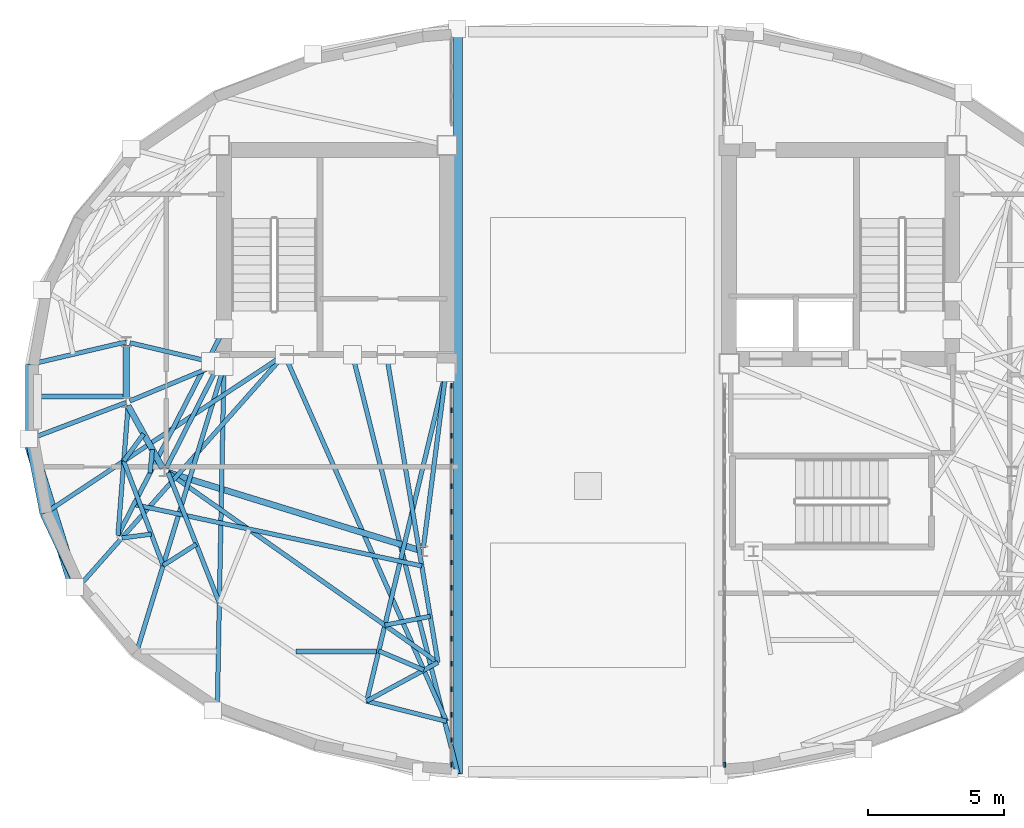
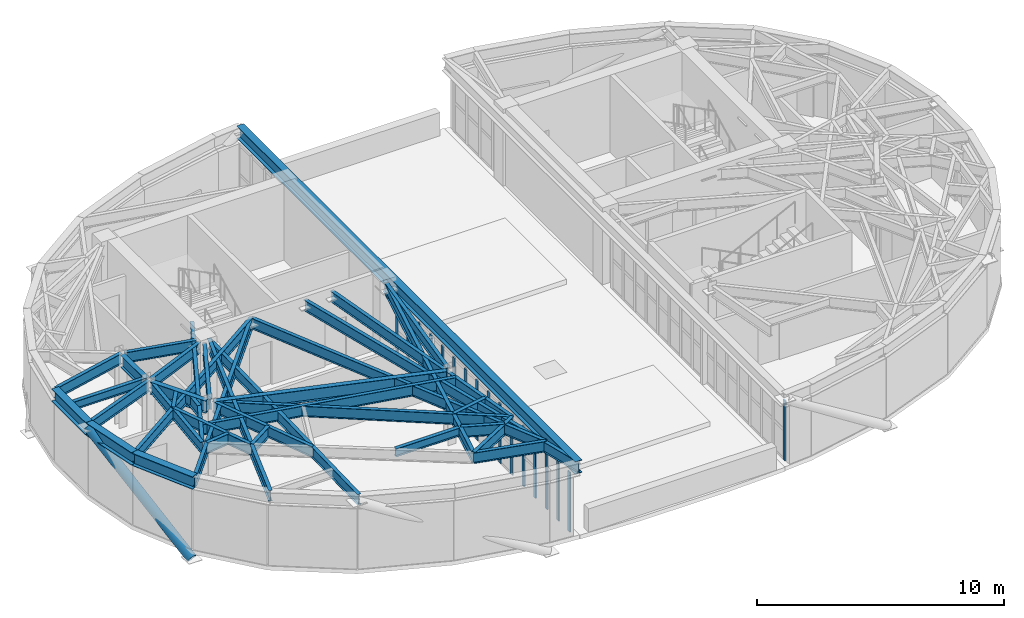
# One storey, part 2 of 13: 37 beams, 18 members, 2 elements without a shape of their own.
"""IFC4 building model written with IfcOpenShell, lengths in metres."""

from ifc_helpers import new_model, si_unit, direction, frame, origin, origin_2d, place, context, subcontext, project, spatial, rectangle, hollow_circle, i_section, extrude, material, layer, layer_set, material_profile, profile_set, type_object, element, aggregate, save


model = new_model("IFC4")

# Units and contexts
model_context = context("Model", 3, precision=1e-05, world=origin(), true_north=direction((0.0, 1.0)))
body_context = subcontext(model_context, "Body", "Model", "MODEL_VIEW")
ifc_project = project(units=[si_unit("LENGTHUNIT", "METRE"), si_unit("AREAUNIT", "SQUARE_METRE"), si_unit("VOLUMEUNIT", "CUBIC_METRE"), si_unit("PLANEANGLEUNIT", "RADIAN"), si_unit("MASSUNIT", "GRAM", prefix="KILO")], contexts=[model_context])

# Site, building, storey
site_placement = place(None, origin())
site = spatial("IfcSite", under=ifc_project, at=site_placement, CompositionType="ELEMENT")
building_placement = place(site_placement, origin())
building = spatial("IfcBuilding", under=site, at=building_placement, Name="Keldmark Tower", CompositionType="ELEMENT")
storey_placement = place(building_placement, frame((0.0, 0.0, 269.199951171875)))
storey = spatial("IfcBuildingStorey", under=building, at=storey_placement, Name="L76", CompositionType="ELEMENT", Elevation=269.199951171875)

# Beams
ifc_material_1 = material(Name="Steel ASTM A992 Grade 50", Category="steel")
ifc_material_profile_1 = material_profile(ifc_material_1, i_section(OverallWidth=0.177978515625, OverallDepth=0.403076171875, WebThickness=0.007568359375, FlangeThickness=0.010986328125, at=origin_2d()), Name="W16X36")
ifc_profile_set_1 = profile_set([ifc_material_profile_1], Name="Steel ASTM A992 Grade 50")
beam_type_1 = type_object("IfcBeamType", Name="Composite Floor Joist W16X36", PredefinedType="JOIST", material=ifc_profile_set_1)
beam_1_placement = place(storey_placement, frame((-10.774658203125, -9.199951171875, 3.3984375), z_axis=(1.0, 0.0, 0.0), x_axis=(0.0, 1.0, 0.0)))
element("IfcBeam", 1, at=beam_1_placement, inside=storey, type_object=beam_type_1, Name="L76 Composite Floor Joist J05", PredefinedType="JOIST", context=body_context, shape_type="SweptSolid", body=[
    extrude(i_section(OverallWidth=0.177978515625, OverallDepth=0.403076171875, WebThickness=0.007568359375, FlangeThickness=0.010986328125, at=origin_2d()), origin(), (0.0, 0.0, 1.0), 2.974853515625),
])
beam_2_placement = place(storey_placement, frame((-20.43115234375, 0.199951171875, 3.3984375), z_axis=(1.0, 0.0, 0.0), x_axis=(0.0, 1.0, 0.0)))
element("IfcBeam", 2, at=beam_2_placement, inside=storey, type_object=beam_type_1, Name="L76 Composite Floor Joist J06", PredefinedType="JOIST", context=body_context, shape_type="SweptSolid", body=[
    extrude(i_section(OverallWidth=0.177978515625, OverallDepth=0.403076171875, WebThickness=0.007568359375, FlangeThickness=0.010986328125, at=origin_2d()), origin(), (0.0, 0.0, 1.0), 3.300537109375),
])

# Member
ifc_material_2 = material(Name="Steel ASTM A572 Grade 50", Category="steel")
ifc_material_profile_2 = material_profile(ifc_material_2, hollow_circle(Radius=0.22509765625, WallThickness=0.02197265625, at=origin_2d()), Name="CHS450X22")
ifc_profile_set_2 = profile_set([ifc_material_profile_2], Name="Steel ASTM A572 Grade 50")
member_type_1 = type_object("IfcMemberType", Name="Crown Frame Brace CHS450X22", PredefinedType="USERDEFINED", material=ifc_profile_set_2)
member_1_placement = place(storey_placement, frame((-18.927490234375, -6.82763671875, -0.449951171875), z_axis=(-0.247086594511, 0.79522326811, 0.553685983812), x_axis=(-0.954964422566, -0.296720325616, 0.0)))
element("IfcMember", 3, at=member_1_placement, inside=storey, type_object=member_type_1, Name="L76 Crown Frame Diagonal W04", ObjectType="CROWN FRAME", PredefinedType="USERDEFINED", context=body_context, shape_type="SweptSolid", body=[
    extrude(hollow_circle(Radius=0.22509765625, WallThickness=0.02197265625, at=origin_2d()), origin(), (0.0, 0.0, 1.0), 6.86328125),
])

# Curtain wall, member
ifc_material_3 = material(Name="Unitized Thermally Broken Aluminum and Triple Low-E Glazing", Category="aluminium")
ifc_layer = layer(ifc_material_3, 0.219970703125)
ifc_layer_set = layer_set([ifc_layer], Name="Unitized Thermally Broken Aluminum and Triple Low-E Glazing")
curtain_wall_type = type_object("IfcCurtainWallType", Name="Split-Top Crown Lantern Curtain Wall System", PredefinedType="NOTDEFINED", material=ifc_layer_set)
curtain_wall_1_placement = place(storey_placement, origin())
curtain_wall_1 = element("IfcCurtainWall", 4, at=curtain_wall_1_placement, inside=storey, type_object=curtain_wall_type, Name="L76 Split-Top Crown Lantern Curtain Wall System CW-L76-ES14-1", PredefinedType="NOTDEFINED")
ifc_material_4 = material(Name="Extruded Aluminum Alloy 6063-T6", Category="aluminium")
ifc_material_profile_3 = material_profile(ifc_material_4, rectangle(XDim=0.06005859375, YDim=0.179931640625, at=origin_2d()), Name="CWM60X180")
ifc_profile_set_3 = profile_set([ifc_material_profile_3], Name="Extruded Aluminum Alloy 6063-T6")
member_type_2 = type_object("IfcMemberType", Name="Curtain Wall Structural Mullion 60x180", PredefinedType="MULLION", material=ifc_profile_set_3)
member_2_placement = place(storey_placement, frame((5.0400390625, -13.37451171875, 0.0), z_axis=(0.0, 0.0, 1.0), x_axis=(1.0, 0.0, 0.0)))
member_2 = element("IfcMember", 5, at=member_2_placement, type_object=member_type_2, Name="CW mullion 16", PredefinedType="MULLION", context=body_context, shape_type="SweptSolid", body=[
    extrude(rectangle(XDim=0.06005859375, YDim=0.179931640625, at=origin_2d()), origin(), (0.0, 0.0, 1.0), 2.966064453125),
])
aggregate(curtain_wall_1, [member_2])

# Curtain wall, members
curtain_wall_2_placement = place(storey_placement, origin())
curtain_wall_2 = element("IfcCurtainWall", 6, at=curtain_wall_2_placement, inside=storey, type_object=curtain_wall_type, Name="L76 Split-Top Crown Lantern Curtain Wall System CW-L76-WS14-0", PredefinedType="NOTDEFINED")
member_3_placement = place(storey_placement, frame((-5.0400390625, -13.37451171875, 0.0), z_axis=(0.0, 0.0, 1.0), x_axis=(-1.0, 0.0, 0.0)))
member_3 = element("IfcMember", 7, at=member_3_placement, type_object=member_type_2, Name="CW mullion 1", PredefinedType="MULLION", context=body_context, shape_type="SweptSolid", body=[
    extrude(rectangle(XDim=0.06005859375, YDim=0.179931640625, at=origin_2d()), origin(), (0.0, 0.0, 1.0), 2.966064453125),
])
member_4_placement = place(storey_placement, frame((-5.0400390625, -12.469482421875, 0.0), z_axis=(0.0, 0.0, 1.0), x_axis=(-1.0, 0.0, 0.0)))
member_4 = element("IfcMember", 8, at=member_4_placement, type_object=member_type_2, Name="CW mullion 2", PredefinedType="MULLION", context=body_context, shape_type="SweptSolid", body=[
    extrude(rectangle(XDim=0.06005859375, YDim=0.179931640625, at=origin_2d()), origin(), (0.0, 0.0, 1.0), 2.966064453125),
])
member_5_placement = place(storey_placement, frame((-5.0400390625, -11.534423828125, 0.0), z_axis=(0.0, 0.0, 1.0), x_axis=(-1.0, 0.0, 0.0)))
member_5 = element("IfcMember", 9, at=member_5_placement, type_object=member_type_2, Name="CW mullion 3", PredefinedType="MULLION", context=body_context, shape_type="SweptSolid", body=[
    extrude(rectangle(XDim=0.06005859375, YDim=0.179931640625, at=origin_2d()), origin(), (0.0, 0.0, 1.0), 2.966064453125),
])
member_6_placement = place(storey_placement, frame((-5.0400390625, -10.599365234375, 0.0), z_axis=(0.0, 0.0, 1.0), x_axis=(-1.0, 0.0, 0.0)))
member_6 = element("IfcMember", 10, at=member_6_placement, type_object=member_type_2, Name="CW mullion 4", PredefinedType="MULLION", context=body_context, shape_type="SweptSolid", body=[
    extrude(rectangle(XDim=0.06005859375, YDim=0.179931640625, at=origin_2d()), origin(), (0.0, 0.0, 1.0), 2.966064453125),
])
member_7_placement = place(storey_placement, frame((-5.0400390625, -9.664306640625, 0.0), z_axis=(0.0, 0.0, 1.0), x_axis=(-1.0, 0.0, 0.0)))
member_7 = element("IfcMember", 11, at=member_7_placement, type_object=member_type_2, Name="CW mullion 5", PredefinedType="MULLION", context=body_context, shape_type="SweptSolid", body=[
    extrude(rectangle(XDim=0.06005859375, YDim=0.179931640625, at=origin_2d()), origin(), (0.0, 0.0, 1.0), 2.966064453125),
])
member_8_placement = place(storey_placement, frame((-5.0400390625, -8.729248046875, 0.0), z_axis=(0.0, 0.0, 1.0), x_axis=(-1.0, 0.0, 0.0)))
member_8 = element("IfcMember", 12, at=member_8_placement, type_object=member_type_2, Name="CW mullion 6", PredefinedType="MULLION", context=body_context, shape_type="SweptSolid", body=[
    extrude(rectangle(XDim=0.06005859375, YDim=0.179931640625, at=origin_2d()), origin(), (0.0, 0.0, 1.0), 2.966064453125),
])
member_9_placement = place(storey_placement, frame((-5.0400390625, -7.794189453125, 0.0), z_axis=(0.0, 0.0, 1.0), x_axis=(-1.0, 0.0, 0.0)))
member_9 = element("IfcMember", 13, at=member_9_placement, type_object=member_type_2, Name="CW mullion 7", PredefinedType="MULLION", context=body_context, shape_type="SweptSolid", body=[
    extrude(rectangle(XDim=0.06005859375, YDim=0.179931640625, at=origin_2d()), origin(), (0.0, 0.0, 1.0), 2.966064453125),
])
member_10_placement = place(storey_placement, frame((-5.0400390625, -6.859130859375, 0.0), z_axis=(0.0, 0.0, 1.0), x_axis=(-1.0, 0.0, 0.0)))
member_10 = element("IfcMember", 14, at=member_10_placement, type_object=member_type_2, Name="CW mullion 8", PredefinedType="MULLION", context=body_context, shape_type="SweptSolid", body=[
    extrude(rectangle(XDim=0.06005859375, YDim=0.179931640625, at=origin_2d()), origin(), (0.0, 0.0, 1.0), 2.966064453125),
])
member_11_placement = place(storey_placement, frame((-5.0400390625, -5.924072265625, 0.0), z_axis=(0.0, 0.0, 1.0), x_axis=(-1.0, 0.0, 0.0)))
member_11 = element("IfcMember", 15, at=member_11_placement, type_object=member_type_2, Name="CW mullion 9", PredefinedType="MULLION", context=body_context, shape_type="SweptSolid", body=[
    extrude(rectangle(XDim=0.06005859375, YDim=0.179931640625, at=origin_2d()), origin(), (0.0, 0.0, 1.0), 2.966064453125),
])
member_12_placement = place(storey_placement, frame((-5.0400390625, -4.989013671875, 0.0), z_axis=(0.0, 0.0, 1.0), x_axis=(-1.0, 0.0, 0.0)))
member_12 = element("IfcMember", 16, at=member_12_placement, type_object=member_type_2, Name="CW mullion 10", PredefinedType="MULLION", context=body_context, shape_type="SweptSolid", body=[
    extrude(rectangle(XDim=0.06005859375, YDim=0.179931640625, at=origin_2d()), origin(), (0.0, 0.0, 1.0), 2.966064453125),
])
member_13_placement = place(storey_placement, frame((-5.0400390625, -4.053955078125, 0.0), z_axis=(0.0, 0.0, 1.0), x_axis=(-1.0, 0.0, 0.0)))
member_13 = element("IfcMember", 17, at=member_13_placement, type_object=member_type_2, Name="CW mullion 11", PredefinedType="MULLION", context=body_context, shape_type="SweptSolid", body=[
    extrude(rectangle(XDim=0.06005859375, YDim=0.179931640625, at=origin_2d()), origin(), (0.0, 0.0, 1.0), 2.966064453125),
])
member_14_placement = place(storey_placement, frame((-5.0400390625, -3.118896484375, 0.0), z_axis=(0.0, 0.0, 1.0), x_axis=(-1.0, 0.0, 0.0)))
member_14 = element("IfcMember", 18, at=member_14_placement, type_object=member_type_2, Name="CW mullion 12", PredefinedType="MULLION", context=body_context, shape_type="SweptSolid", body=[
    extrude(rectangle(XDim=0.06005859375, YDim=0.179931640625, at=origin_2d()), origin(), (0.0, 0.0, 1.0), 2.966064453125),
])
member_15_placement = place(storey_placement, frame((-5.0400390625, -2.183837890625, 0.0), z_axis=(0.0, 0.0, 1.0), x_axis=(-1.0, 0.0, 0.0)))
member_15 = element("IfcMember", 19, at=member_15_placement, type_object=member_type_2, Name="CW mullion 13", PredefinedType="MULLION", context=body_context, shape_type="SweptSolid", body=[
    extrude(rectangle(XDim=0.06005859375, YDim=0.179931640625, at=origin_2d()), origin(), (0.0, 0.0, 1.0), 2.966064453125),
])
member_16_placement = place(storey_placement, frame((-5.0400390625, -1.24853515625, 0.0), z_axis=(0.0, 0.0, 1.0), x_axis=(-1.0, 0.0, 0.0)))
member_16 = element("IfcMember", 20, at=member_16_placement, type_object=member_type_2, Name="CW mullion 14", PredefinedType="MULLION", context=body_context, shape_type="SweptSolid", body=[
    extrude(rectangle(XDim=0.06005859375, YDim=0.179931640625, at=origin_2d()), origin(), (0.0, 0.0, 1.0), 2.966064453125),
])
member_17_placement = place(storey_placement, frame((-5.0400390625, -0.3134765625, 0.0), z_axis=(0.0, 0.0, 1.0), x_axis=(-1.0, 0.0, 0.0)))
member_17 = element("IfcMember", 21, at=member_17_placement, type_object=member_type_2, Name="CW mullion 15", PredefinedType="MULLION", context=body_context, shape_type="SweptSolid", body=[
    extrude(rectangle(XDim=0.06005859375, YDim=0.179931640625, at=origin_2d()), origin(), (0.0, 0.0, 1.0), 2.966064453125),
])
member_18_placement = place(storey_placement, frame((-5.0400390625, 0.591552734375, 0.0), z_axis=(0.0, 0.0, 1.0), x_axis=(-1.0, 0.0, 0.0)))
member_18 = element("IfcMember", 22, at=member_18_placement, type_object=member_type_2, Name="CW mullion 16", PredefinedType="MULLION", context=body_context, shape_type="SweptSolid", body=[
    extrude(rectangle(XDim=0.06005859375, YDim=0.179931640625, at=origin_2d()), origin(), (0.0, 0.0, 1.0), 2.966064453125),
])
aggregate(curtain_wall_2, [member_3, member_4, member_5, member_6, member_7, member_8, member_9, member_10, member_11, member_12, member_13, member_14, member_15, member_16, member_17, member_18])

# Beams
ifc_material_5 = material(Name="Steel ASTM A992 Grade 50", Category="steel")
ifc_material_profile_4 = material_profile(ifc_material_5, i_section(OverallWidth=0.22802734375, OverallDepth=0.60302734375, WebThickness=0.010498046875, FlangeThickness=0.014892578125, at=origin_2d()), Name="W24X68")
ifc_profile_set_4 = profile_set([ifc_material_profile_4], Name="Steel ASTM A992 Grade 50")
beam_type_2 = type_object("IfcBeamType", Name="Primary Floor Girder W24X68", PredefinedType="BEAM", material=ifc_profile_set_4)
beam_3_placement = place(storey_placement, frame((-17.025634765625, 2.068115234375, 3.298583984375), z_axis=(0.0, -1.0, 0.0), x_axis=(1.0, 0.0, 0.0)))
element("IfcBeam", 23, at=beam_3_placement, inside=storey, type_object=beam_type_2, Name="L76 Floor Ring Girder FG-R02", PredefinedType="BEAM", context=body_context, shape_type="SweptSolid", body=[
    extrude(i_section(OverallWidth=0.22802734375, OverallDepth=0.60302734375, WebThickness=0.010498046875, FlangeThickness=0.014892578125, at=origin_2d()), origin(), (0.0, 0.0, 1.0), 1.9521484375),
])
beam_4_placement = place(storey_placement, frame((-16.957763671875, -0.146484375, 3.298583984375), z_axis=(0.484719680408, -0.874669555561, 0.0), x_axis=(0.874669555561, 0.484719680408, 0.0)))
element("IfcBeam", 24, at=beam_4_placement, inside=storey, type_object=beam_type_2, Name="L76 Floor Ring Girder FG-R03", PredefinedType="BEAM", context=body_context, shape_type="SweptSolid", body=[
    extrude(i_section(OverallWidth=0.22802734375, OverallDepth=0.60302734375, WebThickness=0.010498046875, FlangeThickness=0.014892578125, at=origin_2d()), origin(), (0.0, 0.0, 1.0), 2.627685546875),
])
beam_5_placement = place(storey_placement, frame((-15.482421875, -2.60888671875, 3.298583984375), z_axis=(0.955383255089, -0.295368982622, 0.0), x_axis=(0.295368982622, 0.955383255089, 0.0)))
element("IfcBeam", 25, at=beam_5_placement, inside=storey, type_object=beam_type_2, Name="L76 Floor Ring Girder FG-R04", PredefinedType="BEAM", context=body_context, shape_type="SweptSolid", body=[
    extrude(i_section(OverallWidth=0.22802734375, OverallDepth=0.60302734375, WebThickness=0.010498046875, FlangeThickness=0.014892578125, at=origin_2d()), origin(), (0.0, 0.0, 1.0), 9.69140625),
])
ifc_material_6 = material(Name="Steel ASTM A992 Grade 50", Category="steel")
ifc_material_profile_5 = material_profile(ifc_material_6, i_section(OverallWidth=0.166015625, OverallDepth=0.529052734375, WebThickness=0.009765625, FlangeThickness=0.013671875, at=origin_2d()), Name="W21X50")
ifc_profile_set_5 = profile_set([ifc_material_profile_5], Name="Steel ASTM A992 Grade 50")
beam_type_3 = type_object("IfcBeamType", Name="Radial Tie Girder W21X50", PredefinedType="BEAM", material=ifc_profile_set_5)
beam_6_placement = place(storey_placement, frame((-16.889404296875, 2.17578125, 3.33544921875), z_axis=(0.97329039005, -0.229577474147, 0.0), x_axis=(0.229577474147, 0.97329039005, 0.0)))
element("IfcBeam", 26, at=beam_6_placement, inside=storey, type_object=beam_type_3, Name="L76 Floor Radial Girder FG-C06", PredefinedType="BEAM", context=body_context, shape_type="SweptSolid", body=[
    extrude(i_section(OverallWidth=0.166015625, OverallDepth=0.529052734375, WebThickness=0.009765625, FlangeThickness=0.013671875, at=origin_2d()), origin(), (0.0, 0.0, 1.0), 3.0595703125),
])
beam_7_placement = place(storey_placement, frame((-16.896240234375, 0.02978515625, 3.33544921875), z_axis=(0.923403331902, 0.383831065226, 0.0), x_axis=(-0.383831065226, 0.923403331902, 0.0)))
element("IfcBeam", 27, at=beam_7_placement, inside=storey, type_object=beam_type_3, Name="L76 Floor Radial Girder FG-C07", PredefinedType="BEAM", context=body_context, shape_type="SweptSolid", body=[
    extrude(i_section(OverallWidth=0.166015625, OverallDepth=0.529052734375, WebThickness=0.009765625, FlangeThickness=0.013671875, at=origin_2d()), origin(), (0.0, 0.0, 1.0), 3.249755859375),
])
beam_8_placement = place(storey_placement, frame((-15.552734375, -2.442626953125, 3.33544921875), z_axis=(0.453004410574, 0.89150827478, 0.0), x_axis=(-0.89150827478, 0.453004410574, 0.0)))
element("IfcBeam", 28, at=beam_8_placement, inside=storey, type_object=beam_type_3, Name="L76 Floor Radial Girder FG-C08", PredefinedType="BEAM", context=body_context, shape_type="SweptSolid", body=[
    extrude(i_section(OverallWidth=0.166015625, OverallDepth=0.529052734375, WebThickness=0.009765625, FlangeThickness=0.013671875, at=origin_2d()), origin(), (0.0, 0.0, 1.0), 3.990234375),
])
beam_9_placement = place(storey_placement, frame((-6.071533203125, -5.3740234375, 3.33544921875), z_axis=(0.127625044513, 0.991822488157, 0.0), x_axis=(-0.991822488157, 0.127625044513, 0.0)))
element("IfcBeam", 29, at=beam_9_placement, inside=storey, type_object=beam_type_3, Name="L76 Floor Radial Girder FG-C09", PredefinedType="BEAM", context=body_context, shape_type="SweptSolid", body=[
    extrude(i_section(OverallWidth=0.166015625, OverallDepth=0.529052734375, WebThickness=0.009765625, FlangeThickness=0.013671875, at=origin_2d()), origin(), (0.0, 0.0, 1.0), 6.509765625),
])
beam_10_placement = place(storey_placement, frame((-16.066162109375, -1.75537109375, 3.33544921875), z_axis=(-0.095914291644, -0.995389596419, 0.0), x_axis=(0.995389596419, -0.095914291644, 0.0)))
element("IfcBeam", 30, at=beam_10_placement, inside=storey, type_object=beam_type_3, Name="L76 Framing Pin Header PH-014", PredefinedType="BEAM", context=body_context, shape_type="SweptSolid", body=[
    extrude(i_section(OverallWidth=0.166015625, OverallDepth=0.529052734375, WebThickness=0.009765625, FlangeThickness=0.013671875, at=origin_2d()), origin(), (0.0, 0.0, 1.0), 0.875732421875),
])
beam_11_placement = place(storey_placement, frame((-13.425048828125, 2.675048828125, 3.33544921875), z_axis=(-0.45712850913, -0.889400655577, 0.0), x_axis=(0.889400655577, -0.45712850913, 0.0)))
element("IfcBeam", 31, at=beam_11_placement, inside=storey, type_object=beam_type_3, Name="L76 Intermediate Radial Step Girder CRT-W05M", PredefinedType="BEAM", context=body_context, shape_type="SweptSolid", body=[
    extrude(i_section(OverallWidth=0.166015625, OverallDepth=0.529052734375, WebThickness=0.009765625, FlangeThickness=0.013671875, at=origin_2d()), origin(), (0.0, 0.0, 1.0), 8.545166015625),
])
beam_12_placement = place(storey_placement, frame((-16.957763671875, -0.146484375, 3.33544921875), z_axis=(-0.077931174289, -0.99695874141, 0.0), x_axis=(0.99695874141, -0.077931174289, 0.0)))
element("IfcBeam", 32, at=beam_12_placement, inside=storey, type_object=beam_type_3, Name="L76 Local Collector Chord CRT-W05C", PredefinedType="BEAM", context=body_context, shape_type="SweptSolid", body=[
    extrude(i_section(OverallWidth=0.166015625, OverallDepth=0.529052734375, WebThickness=0.009765625, FlangeThickness=0.013671875, at=origin_2d()), origin(), (0.0, 0.0, 1.0), 4.793212890625),
])
beam_13_placement = place(storey_placement, frame((-16.384521484375, -1.180908203125, 3.33544921875), z_axis=(-0.58960765823, -0.807689797729, 0.0), x_axis=(0.807689797729, -0.58960765823, 0.0)))
element("IfcBeam", 33, at=beam_13_placement, inside=storey, type_object=beam_type_3, Name="L76 Framing Pin Header PH-015", PredefinedType="BEAM", context=body_context, shape_type="SweptSolid", body=[
    extrude(i_section(OverallWidth=0.166015625, OverallDepth=0.529052734375, WebThickness=0.009765625, FlangeThickness=0.013671875, at=origin_2d()), origin(), (0.0, 0.0, 1.0), 1.24267578125),
])
beam_14_placement = place(storey_placement, frame((-11.19287109375, 1.739990234375, 3.33544921875), z_axis=(-0.83365951816, -0.552278741018, 0.0), x_axis=(0.552278741018, -0.83365951816, 0.0)))
element("IfcBeam", 34, at=beam_14_placement, inside=storey, type_object=beam_type_3, Name="L76 Perimeter Radial Tie Girder CRT-W06", PredefinedType="BEAM", context=body_context, shape_type="SweptSolid", body=[
    extrude(i_section(OverallWidth=0.166015625, OverallDepth=0.529052734375, WebThickness=0.009765625, FlangeThickness=0.013671875, at=origin_2d()), origin(), (0.0, 0.0, 1.0), 10.6201171875),
])
beam_15_placement = place(storey_placement, frame((-17.025634765625, -0.02392578125, 3.33544921875), z_axis=(-0.934893385986, -0.354928664437, 0.0), x_axis=(0.354928664437, -0.934893385986, 0.0)))
element("IfcBeam", 35, at=beam_15_placement, inside=storey, type_object=beam_type_3, Name="L76 Perimeter Column Bracket CRT-W07", PredefinedType="BEAM", context=body_context, shape_type="SweptSolid", body=[
    extrude(i_section(OverallWidth=0.166015625, OverallDepth=0.529052734375, WebThickness=0.009765625, FlangeThickness=0.013671875, at=origin_2d()), origin(), (0.0, 0.0, 1.0), 3.80810546875),
])
beam_16_placement = place(storey_placement, frame((-17.025634765625, 2.2080078125, 3.33544921875), z_axis=(-0.973729775852, -0.22770666134, 0.0), x_axis=(0.22770666134, -0.973729775852, 0.0)))
element("IfcBeam", 36, at=beam_16_placement, inside=storey, type_object=beam_type_3, Name="L76 Perimeter Column Bracket CRT-W08", PredefinedType="BEAM", context=body_context, shape_type="SweptSolid", body=[
    extrude(i_section(OverallWidth=0.166015625, OverallDepth=0.529052734375, WebThickness=0.009765625, FlangeThickness=0.013671875, at=origin_2d()), origin(), (0.0, 0.0, 1.0), 3.656005859375),
])
beam_17_placement = place(storey_placement, frame((-16.745361328125, -3.78515625, 3.33544921875), z_axis=(0.97794930655, -0.208842413839, 0.0), x_axis=(0.208842413839, 0.97794930655, 0.0)))
element("IfcBeam", 37, at=beam_17_placement, inside=storey, type_object=beam_type_3, Name="L76 Framing Pin Header PH-018", PredefinedType="BEAM", context=body_context, shape_type="SweptSolid", body=[
    extrude(i_section(OverallWidth=0.166015625, OverallDepth=0.529052734375, WebThickness=0.009765625, FlangeThickness=0.013671875, at=origin_2d()), origin(), (0.0, 0.0, 1.0), 10.854248046875),
])
beam_18_placement = place(storey_placement, frame((-7.43212890625, 1.739990234375, 3.33544921875), z_axis=(0.164794545663, -0.986327915918, 0.0), x_axis=(0.986327915918, 0.164794545663, 0.0)))
element("IfcBeam", 38, at=beam_18_placement, inside=storey, type_object=beam_type_3, Name="L76 Crown Step Radial Girder CRT-W01RN1", PredefinedType="BEAM", context=body_context, shape_type="SweptSolid", body=[
    extrude(i_section(OverallWidth=0.166015625, OverallDepth=0.529052734375, WebThickness=0.009765625, FlangeThickness=0.013671875, at=origin_2d()), origin(), (0.0, 0.0, 1.0), 11.509765625),
])
beam_19_placement = place(storey_placement, frame((-5.535400390625, -9.6123046875, 3.33544921875), z_axis=(-0.817664715878, 0.575694721539, 0.0), x_axis=(-0.575694721539, -0.817664715878, 0.0)))
element("IfcBeam", 39, at=beam_19_placement, inside=storey, type_object=beam_type_3, Name="L76 Crown Step Collector Chord CRT-W01RP1", PredefinedType="BEAM", context=body_context, shape_type="SweptSolid", body=[
    extrude(i_section(OverallWidth=0.166015625, OverallDepth=0.529052734375, WebThickness=0.009765625, FlangeThickness=0.013671875, at=origin_2d()), origin(), (0.0, 0.0, 1.0), 12.1650390625),
])
beam_20_placement = place(storey_placement, frame((-5.820068359375, -7.909423828125, 3.33544921875), z_axis=(-0.981474809859, -0.191591225303, 0.0), x_axis=(0.191591225303, -0.981474809859, 0.0)))
element("IfcBeam", 40, at=beam_20_placement, inside=storey, type_object=beam_type_3, Name="L76 Framing Pin Header PH-019", PredefinedType="BEAM", context=body_context, shape_type="SweptSolid", body=[
    extrude(i_section(OverallWidth=0.166015625, OverallDepth=0.529052734375, WebThickness=0.009765625, FlangeThickness=0.013671875, at=origin_2d()), origin(), (0.0, 0.0, 1.0), 1.702392578125),
])
beam_21_placement = place(storey_placement, frame((-5.199951171875, 1.300048828125, 3.33544921875), z_axis=(-0.233598627171, -0.972333112356, 0.0), x_axis=(0.972333112356, -0.233598627171, 0.0)))
element("IfcBeam", 41, at=beam_21_placement, inside=storey, type_object=beam_type_3, Name="L76 Crown Step Radial Girder CRT-W02RN1", PredefinedType="BEAM", context=body_context, shape_type="SweptSolid", body=[
    extrude(i_section(OverallWidth=0.166015625, OverallDepth=0.529052734375, WebThickness=0.009765625, FlangeThickness=0.013671875, at=origin_2d()), origin(), (0.0, 0.0, 1.0), 12.68359375),
])
beam_22_placement = place(storey_placement, frame((-8.162841796875, -11.03271484375, 3.33544921875), z_axis=(0.87968248496, 0.475561484621, 0.0), x_axis=(-0.475561484621, 0.87968248496, 0.0)))
element("IfcBeam", 42, at=beam_22_placement, inside=storey, type_object=beam_type_3, Name="L76 Crown Step Collector Chord CRT-W02RP1", PredefinedType="BEAM", context=body_context, shape_type="SweptSolid", body=[
    extrude(i_section(OverallWidth=0.166015625, OverallDepth=0.529052734375, WebThickness=0.009765625, FlangeThickness=0.013671875, at=origin_2d()), origin(), (0.0, 0.0, 1.0), 2.98681640625),
])
beam_23_placement = place(storey_placement, frame((-13.425048828125, 1.300048828125, 3.33544921875), z_axis=(-0.019430925524, -0.999811201744, 0.0), x_axis=(0.999811201744, -0.019430925524, 0.0)))
element("IfcBeam", 43, at=beam_23_placement, inside=storey, type_object=beam_type_3, Name="L76 Perimeter Radial Tie Girder CRT-W03R", PredefinedType="BEAM", context=body_context, shape_type="SweptSolid", body=[
    extrude(i_section(OverallWidth=0.166015625, OverallDepth=0.529052734375, WebThickness=0.009765625, FlangeThickness=0.013671875, at=origin_2d()), origin(), (0.0, 0.0, 1.0), 12.602294921875),
])
beam_24_placement = place(storey_placement, frame((-15.482421875, -2.60888671875, 3.33544921875), z_axis=(0.36566846554, -0.930745170984, 0.0), x_axis=(0.930745170984, 0.36566846554, 0.0)))
element("IfcBeam", 44, at=beam_24_placement, inside=storey, type_object=beam_type_3, Name="L76 Straddling Support Chord CRT-W04RB", PredefinedType="BEAM", context=body_context, shape_type="SweptSolid", body=[
    extrude(i_section(OverallWidth=0.166015625, OverallDepth=0.529052734375, WebThickness=0.009765625, FlangeThickness=0.013671875, at=origin_2d()), origin(), (0.0, 0.0, 1.0), 5.1630859375),
])
beam_25_placement = place(storey_placement, frame((-14.444091796875, -5.251953125, 3.33544921875), z_axis=(-0.842433279177, -0.538800677557, 0.0), x_axis=(0.538800677557, -0.842433279177, 0.0)))
element("IfcBeam", 45, at=beam_25_placement, inside=storey, type_object=beam_type_3, Name="L76 Framing Pin Header PH-021", PredefinedType="BEAM", context=body_context, shape_type="SweptSolid", body=[
    extrude(i_section(OverallWidth=0.166015625, OverallDepth=0.529052734375, WebThickness=0.009765625, FlangeThickness=0.013671875, at=origin_2d()), origin(), (0.0, 0.0, 1.0), 1.451416015625),
])
beam_26_placement = place(storey_placement, frame((-13.425048828125, 1.300048828125, 3.33544921875), z_axis=(-0.292313342301, -0.956322597199, 0.0), x_axis=(0.956322597199, -0.292313342301, 0.0)))
element("IfcBeam", 46, at=beam_26_placement, inside=storey, type_object=beam_type_3, Name="L76 Perimeter Radial Tie Girder CRT-W04R", PredefinedType="BEAM", context=body_context, shape_type="SweptSolid", body=[
    extrude(i_section(OverallWidth=0.166015625, OverallDepth=0.529052734375, WebThickness=0.009765625, FlangeThickness=0.013671875, at=origin_2d()), origin(), (0.0, 0.0, 1.0), 11.056396484375),
])
beam_27_placement = place(storey_placement, frame((-17.1171875, -2.1845703125, 3.33544921875), z_axis=(0.352599442521, -0.935774349474, 0.0), x_axis=(0.935774349474, 0.352599442521, 0.0)))
element("IfcBeam", 47, at=beam_27_placement, inside=storey, type_object=beam_type_3, Name="L76 Straddling Support Chord CRT-W05RB", PredefinedType="BEAM", context=body_context, shape_type="SweptSolid", body=[
    extrude(i_section(OverallWidth=0.166015625, OverallDepth=0.529052734375, WebThickness=0.009765625, FlangeThickness=0.013671875, at=origin_2d()), origin(), (0.0, 0.0, 1.0), 4.113525390625),
])
beam_28_placement = place(storey_placement, frame((-16.101806640625, -4.879150390625, 3.33544921875), z_axis=(-0.99160910886, -0.12927248441, 0.0), x_axis=(0.12927248441, -0.99160910886, 0.0)))
element("IfcBeam", 48, at=beam_28_placement, inside=storey, type_object=beam_type_3, Name="L76 Framing Pin Header PH-022", PredefinedType="BEAM", context=body_context, shape_type="SweptSolid", body=[
    extrude(i_section(OverallWidth=0.166015625, OverallDepth=0.529052734375, WebThickness=0.009765625, FlangeThickness=0.013671875, at=origin_2d()), origin(), (0.0, 0.0, 1.0), 1.095458984375),
])
beam_29_placement = place(storey_placement, frame((-11.19287109375, 1.739990234375, 3.33544921875), z_axis=(-0.663474528465, -0.748198870674, 0.0), x_axis=(0.748198870674, -0.663474528465, 0.0)))
element("IfcBeam", 49, at=beam_29_placement, inside=storey, type_object=beam_type_3, Name="L76 Perimeter Radial Tie Girder CRT-W05R", PredefinedType="BEAM", context=body_context, shape_type="SweptSolid", body=[
    extrude(i_section(OverallWidth=0.166015625, OverallDepth=0.529052734375, WebThickness=0.009765625, FlangeThickness=0.013671875, at=origin_2d()), origin(), (0.0, 0.0, 1.0), 11.422607421875),
])
beam_30_placement = place(storey_placement, frame((-7.718505859375, -9.1826171875, 3.33544921875), z_axis=(0.919806738233, -0.392371716999, 0.0), x_axis=(0.392371716999, 0.919806738233, 0.0)))
element("IfcBeam", 50, at=beam_30_placement, inside=storey, type_object=beam_type_3, Name="L76 Framing Pin Header PH-026", PredefinedType="BEAM", context=body_context, shape_type="SweptSolid", body=[
    extrude(i_section(OverallWidth=0.166015625, OverallDepth=0.529052734375, WebThickness=0.009765625, FlangeThickness=0.013671875, at=origin_2d()), origin(), (0.0, 0.0, 1.0), 1.809326171875),
])
beam_31_placement = place(storey_placement, frame((-11.19287109375, 1.739990234375, 3.33544921875), z_axis=(0.404080937736, -0.914723234513, 0.0), x_axis=(0.914723234513, 0.404080937736, 0.0)))
element("IfcBeam", 51, at=beam_31_placement, inside=storey, type_object=beam_type_3, Name="L76 Crown Step Radial Girder CRT-W16RN1", PredefinedType="BEAM", context=body_context, shape_type="SweptSolid", body=[
    extrude(i_section(OverallWidth=0.166015625, OverallDepth=0.529052734375, WebThickness=0.009765625, FlangeThickness=0.013671875, at=origin_2d()), origin(), (0.0, 0.0, 1.0), 14.781982421875),
])
beam_32_placement = place(storey_placement, frame((-5.2197265625, -11.781494140625, 3.33544921875), z_axis=(-0.969126867802, 0.246562596727, 0.0), x_axis=(-0.246562596727, -0.969126867802, 0.0)))
element("IfcBeam", 52, at=beam_32_placement, inside=storey, type_object=beam_type_3, Name="L76 Crown Step Collector Chord CRT-W16RP1", PredefinedType="BEAM", context=body_context, shape_type="SweptSolid", body=[
    extrude(i_section(OverallWidth=0.166015625, OverallDepth=0.529052734375, WebThickness=0.009765625, FlangeThickness=0.013671875, at=origin_2d()), origin(), (0.0, 0.0, 1.0), 3.036865234375),
])
beam_33_placement = place(storey_placement, frame((-8.685791015625, 1.739990234375, 3.33544921875), z_axis=(0.243840347836, -0.969815386951, 0.0), x_axis=(0.969815386951, 0.243840347836, 0.0)))
element("IfcBeam", 53, at=beam_33_placement, inside=storey, type_object=beam_type_3, Name="L76 Perimeter Radial Tie Girder CRT-W16R", PredefinedType="BEAM", context=body_context, shape_type="SweptSolid", body=[
    extrude(i_section(OverallWidth=0.166015625, OverallDepth=0.529052734375, WebThickness=0.009765625, FlangeThickness=0.013671875, at=origin_2d()), origin(), (0.0, 0.0, 1.0), 15.935546875),
])
ifc_material_7 = material(Name="Steel ASTM A992 Grade 50", Category="steel")
ifc_material_profile_6 = material_profile(ifc_material_7, i_section(OverallWidth=0.326904296875, OverallDepth=0.6220703125, WebThickness=0.015380859375, FlangeThickness=0.0244140625, at=origin_2d()), Name="W24X131")
ifc_profile_set_6 = profile_set([ifc_material_profile_6], Name="Steel ASTM A992 Grade 50")
beam_type_4 = type_object("IfcBeamType", Name="Spandrel Ring Beam W24X131", PredefinedType="SPANDREL", material=ifc_profile_set_6)
beam_34_placement = place(storey_placement, frame((-18.771484375, -6.806396484375, 3.2890625), z_axis=(-0.429429161272, 0.903100545593, 0.0), x_axis=(-0.903100545593, -0.429429161272, 0.0)))
element("IfcBeam", 54, at=beam_34_placement, inside=storey, type_object=beam_type_4, Name="L76 Crown Spandrel Ring Beam CRB-W05", PredefinedType="SPANDREL", context=body_context, shape_type="SweptSolid", body=[
    extrude(i_section(OverallWidth=0.326904296875, OverallDepth=0.6220703125, WebThickness=0.015380859375, FlangeThickness=0.0244140625, at=origin_2d()), origin(), (0.0, 0.0, 1.0), 2.96875),
])
beam_35_placement = place(storey_placement, frame((-20.04638671875, -4.125244140625, 3.2890625), z_axis=(-0.192462168718, 0.981304393964, 0.0), x_axis=(-0.981304393964, -0.192462168718, 0.0)))
element("IfcBeam", 55, at=beam_35_placement, inside=storey, type_object=beam_type_4, Name="L76 Crown Spandrel Ring Beam CRB-W06", PredefinedType="SPANDREL", context=body_context, shape_type="SweptSolid", body=[
    extrude(i_section(OverallWidth=0.326904296875, OverallDepth=0.6220703125, WebThickness=0.015380859375, FlangeThickness=0.0244140625, at=origin_2d()), origin(), (0.0, 0.0, 1.0), 2.80224609375),
])
beam_36_placement = place(storey_placement, frame((-20.585693359375, -1.37548828125, 3.2890625), z_axis=(0.0, 1.0, 0.0), x_axis=(-1.0, 0.0, 0.0)))
element("IfcBeam", 56, at=beam_36_placement, inside=storey, type_object=beam_type_4, Name="L76 Crown Spandrel Ring Beam CRB-W07", PredefinedType="SPANDREL", context=body_context, shape_type="SweptSolid", body=[
    extrude(i_section(OverallWidth=0.326904296875, OverallDepth=0.6220703125, WebThickness=0.015380859375, FlangeThickness=0.0244140625, at=origin_2d()), origin(), (0.0, 0.0, 1.0), 2.7509765625),
])
beam_37_placement = place(storey_placement, frame((-4.800048828125, 13.714599609375, 3.2890625), z_axis=(0.0, -1.0, 0.0), x_axis=(1.0, 0.0, 0.0)))
element("IfcBeam", 57, at=beam_37_placement, inside=storey, type_object=beam_type_4, Name="L76 Crown Spandrel Ring Beam CRB-W15", PredefinedType="SPANDREL", context=body_context, shape_type="SweptSolid", body=[
    extrude(i_section(OverallWidth=0.326904296875, OverallDepth=0.6220703125, WebThickness=0.015380859375, FlangeThickness=0.0244140625, at=origin_2d()), origin(), (0.0, 0.0, 1.0), 27.42919921875),
])

save(model, "model.ifc")
